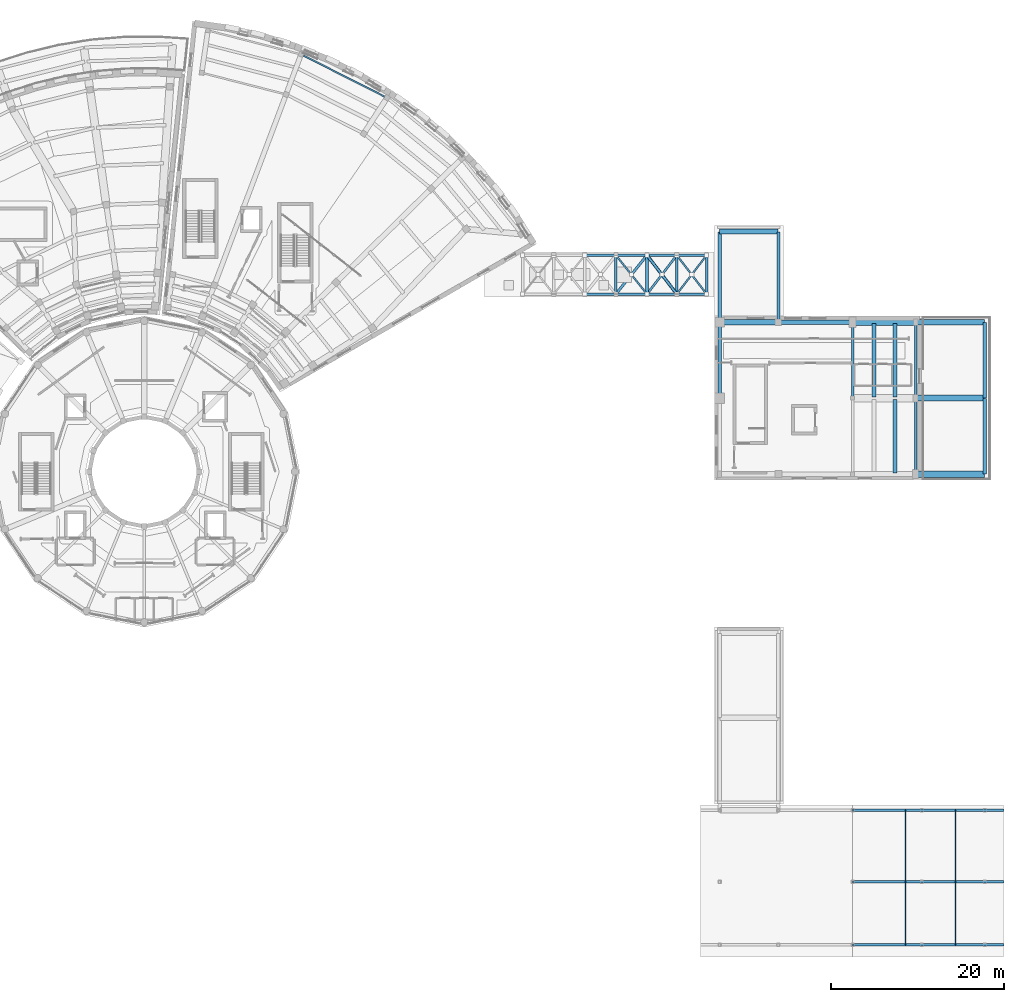
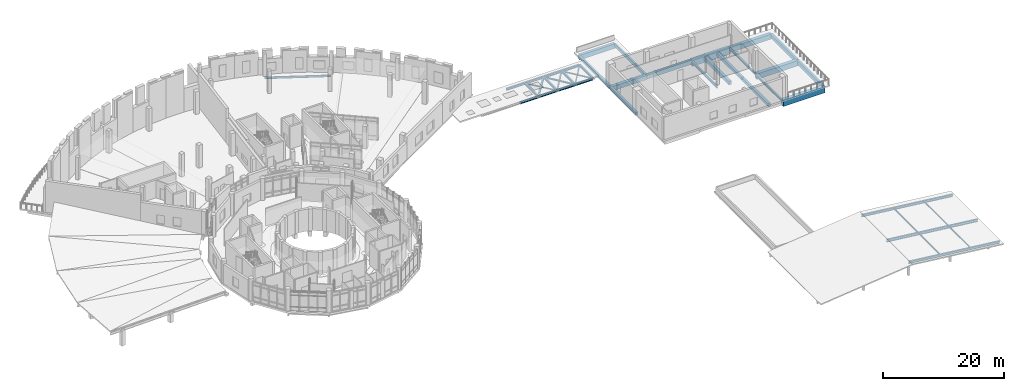
# One storey, part 21 of 49: 30 beams, 13 members.
"""IFC4 building model written with IfcOpenShell, lengths in metres."""

from ifc_helpers import new_model, si_unit, direction, frame, origin, origin_2d, place, context, subcontext, project, spatial, rectangle, hollow_rectangle, hollow_circle, i_section, extrude, material, material_profile, profile_set, type_object, element, save


model = new_model("IFC4")

# Units and contexts
model_context = context("Model", 3, precision=1e-05, world=origin(), true_north=direction((0.0, 1.0)))
body_context = subcontext(model_context, "Body", "Model", "MODEL_VIEW")
ifc_project = project(units=[si_unit("LENGTHUNIT", "METRE"), si_unit("AREAUNIT", "SQUARE_METRE"), si_unit("VOLUMEUNIT", "CUBIC_METRE"), si_unit("PLANEANGLEUNIT", "RADIAN"), si_unit("MASSUNIT", "GRAM", prefix="KILO")], contexts=[model_context])

# Site, building, storey
site_placement = place(None, origin())
site = spatial("IfcSite", under=ifc_project, at=site_placement, CompositionType="ELEMENT")
building_placement = place(site_placement, origin())
building = spatial("IfcBuilding", under=site, at=building_placement, Name="Soyqirgoq Riverine Aquarium", CompositionType="ELEMENT")
storey_placement = place(building_placement, frame((0.0, 0.0, 15.0)))
storey = spatial("IfcBuildingStorey", under=building, at=storey_placement, Name="L04", CompositionType="ELEMENT", Elevation=15.0)

# Beams
ifc_material_1 = material(Name="Concrete C40/50", Category="concrete")
ifc_material_profile_1 = material_profile(ifc_material_1, rectangle(XDim=0.39990234375, YDim=0.60009765625, at=origin_2d()), Name="RC 400x600")
ifc_profile_set_1 = profile_set([ifc_material_profile_1], Name="Concrete C40/50")
beam_type_1 = type_object("IfcBeamType", Name="Beam_RC_400x600", PredefinedType="JOIST", material=ifc_profile_set_1)
beam_1_placement = place(storey_placement, frame((122.60009765625, 74.35009765625, -0.60009765625), z_axis=(0.0, 1.0, 0.0), x_axis=(-1.0, 0.0, 0.0)))
element("IfcBeam", 1, at=beam_1_placement, inside=storey, type_object=beam_type_1, Name="V7 L04 North-South Frame Beam 1403", PredefinedType="JOIST", context=body_context, shape_type="SweptSolid", body=[
    extrude(rectangle(XDim=0.39990234375, YDim=0.60009765625, at=origin_2d()), origin(), (0.0, 0.0, 1.0), 10.39990234375),
])
ifc_material_2 = material(Name="Concrete C40/50", Category="concrete")
ifc_material_profile_2 = material_profile(ifc_material_2, rectangle(XDim=0.39990234375, YDim=0.64990234375, at=origin_2d()), Name="RC 400x650")
ifc_profile_set_2 = profile_set([ifc_material_profile_2], Name="Concrete C40/50")
beam_type_2 = type_object("IfcBeamType", Name="Beam_RC_400x650", PredefinedType="BEAM", material=ifc_profile_set_2)
beam_2_placement = place(storey_placement, frame((122.60009765625, 65.550048828125, -0.625), z_axis=(0.0, 1.0, 0.0), x_axis=(-1.0, 0.0, 0.0)))
element("IfcBeam", 2, at=beam_2_placement, inside=storey, type_object=beam_type_2, Name="V7 L04 North-South Frame Beam 1402", PredefinedType="BEAM", context=body_context, shape_type="SweptSolid", body=[
    extrude(rectangle(XDim=0.39990234375, YDim=0.64990234375, at=origin_2d()), origin(), (0.0, 0.0, 1.0), 8.699951171875),
])
ifc_material_3 = material(Name="Concrete C40/50", Category="concrete")
ifc_material_profile_3 = material_profile(ifc_material_3, rectangle(XDim=0.449951171875, YDim=0.64990234375, at=origin_2d()), Name="RC 450x650")
ifc_profile_set_3 = profile_set([ifc_material_profile_3], Name="Concrete C40/50")
beam_type_3 = type_object("IfcBeamType", Name="Beam_RC_450x650", PredefinedType="BEAM", material=ifc_profile_set_3)
for number, where, z_axis, x_axis, name in (
    (3, (142.89111328125, 56.840087890625, -0.625), (0.0, 1.0, 0.0), (-1.0, 0.0, 0.0), "V7 L04 Secondary Bay Joist 1422"),
    (4, (142.89111328125, 65.639892578125, -0.625), (0.0, 1.0, 0.0), (-1.0, 0.0, 0.0), "V7 L04 Secondary Bay Joist 1424"),
):
    element("IfcBeam", number, at=place(storey_placement, frame(where, z_axis=z_axis, x_axis=x_axis)), inside=storey, type_object=beam_type_3, Name=name, PredefinedType="BEAM", context=body_context, shape_type="SweptSolid", body=[
        extrude(rectangle(XDim=0.449951171875, YDim=0.64990234375, at=origin_2d()), origin(), (0.0, 0.0, 1.0), 8.52001953125),
    ])
ifc_material_4 = material(Name="Concrete C40/50", Category="concrete")
ifc_material_profile_4 = material_profile(ifc_material_4, rectangle(XDim=0.449951171875, YDim=0.75, at=origin_2d()), Name="RC 450x750")
ifc_profile_set_4 = profile_set([ifc_material_profile_4], Name="Concrete C40/50")
beam_type_4 = type_object("IfcBeamType", Name="Beam_RC_450x750", PredefinedType="BEAM", material=ifc_profile_set_4)
beam_3_placement = place(storey_placement, frame((153.300048828125, 65.550048828125, -0.675048828125), z_axis=(0.0, 1.0, 0.0), x_axis=(-1.0, 0.0, 0.0)))
element("IfcBeam", 5, at=beam_3_placement, inside=storey, type_object=beam_type_4, Name="V7 L04 North-South Frame Beam 1420", PredefinedType="BEAM", context=body_context, shape_type="SweptSolid", body=[
    extrude(rectangle(XDim=0.449951171875, YDim=0.75, at=origin_2d()), origin(), (0.0, 0.0, 1.0), 8.699951171875),
])
ifc_material_5 = material(Name="Concrete C40/50", Category="concrete")
ifc_material_profile_5 = material_profile(ifc_material_5, rectangle(XDim=0.449951171875, YDim=0.800048828125, at=origin_2d()), Name="RC 450x800")
ifc_profile_set_5 = profile_set([ifc_material_profile_5], Name="Concrete C40/50")
beam_type_5 = type_object("IfcBeamType", Name="Beam_RC_450x800", PredefinedType="BEAM", material=ifc_profile_set_5)
beam_4_placement = place(storey_placement, frame((153.300048828125, 56.75, -0.699951171875), z_axis=(0.0, 1.0, 0.0), x_axis=(-1.0, 0.0, 0.0)))
element("IfcBeam", 6, at=beam_4_placement, inside=storey, type_object=beam_type_5, Name="V7 L04 North-South Frame Beam 1419", PredefinedType="BEAM", context=body_context, shape_type="SweptSolid", body=[
    extrude(rectangle(XDim=0.449951171875, YDim=0.800048828125, at=origin_2d()), origin(), (0.0, 0.0, 1.0), 8.699951171875),
])
ifc_material_6 = material(Name="Concrete C40/50", Category="concrete")
ifc_material_profile_6 = material_profile(ifc_material_6, rectangle(XDim=0.5, YDim=0.75, at=origin_2d()), Name="RC 500x750")
ifc_profile_set_6 = profile_set([ifc_material_profile_6], Name="Concrete C40/50")
beam_type_6 = type_object("IfcBeamType", Name="Beam_RC_500x750", PredefinedType="BEAM", material=ifc_profile_set_6)
beam_5_placement = place(storey_placement, frame((140.48193359375, 65.639892578125, -0.675048828125), z_axis=(0.0, 1.0, 0.0), x_axis=(-1.0, 0.0, 0.0)))
element("IfcBeam", 7, at=beam_5_placement, inside=storey, type_object=beam_type_6, Name="V7 L04 Secondary Bay Joist 1423", PredefinedType="BEAM", context=body_context, shape_type="SweptSolid", body=[
    extrude(rectangle(XDim=0.5, YDim=0.75, at=origin_2d()), origin(), (0.0, 0.0, 1.0), 8.52001953125),
])

# Member
ifc_material_7 = material(Name="Structural steel S355", Category="steel")
ifc_material_profile_7 = material_profile(ifc_material_7, i_section(OverallWidth=0.300048828125, OverallDepth=0.489990234375, WebThickness=0.011962890625, FlangeThickness=0.02294921875, FilletRadius=0.027099609375, at=origin_2d()), Name="HEA 500")
ifc_profile_set_7 = profile_set([ifc_material_profile_7], Name="Structural steel S355")
member_type_1 = type_object("IfcMemberType", Name="BridgeChord_HEA500", PredefinedType="CHORD", material=ifc_profile_set_7)
member_1_placement = place(storey_placement, frame((110.60009765625, 77.550048828125, -0.22998046875), z_axis=(0.624679547852, 0.780881208953, 0.0), x_axis=(-0.780881208953, 0.624679547852, 0.0)))
element("IfcMember", 8, at=member_1_placement, inside=storey, type_object=member_type_1, Name="BR-2 Roof Diaphragm Continuous X-Brace 0028", PredefinedType="CHORD", context=body_context, shape_type="SweptSolid", body=[
    extrude(i_section(OverallWidth=0.300048828125, OverallDepth=0.489990234375, WebThickness=0.011962890625, FlangeThickness=0.02294921875, FilletRadius=0.027099609375, at=origin_2d()), origin(), (0.0, 0.0, 1.0), 5.7626953125),
])

# Beams
ifc_material_8 = material(Name="Concrete C40/50", Category="concrete")
ifc_material_profile_8 = material_profile(ifc_material_8, rectangle(XDim=0.5, YDim=0.85009765625, at=origin_2d()), Name="RC 500x850")
ifc_profile_set_8 = profile_set([ifc_material_profile_8], Name="Concrete C40/50")
beam_type_7 = type_object("IfcBeamType", Name="Girder_RC_500x850", PredefinedType="BEAM", material=ifc_profile_set_8)
beam_6_placement = place(storey_placement, frame((129.419921875, 74.300048828125, -0.72509765625), z_axis=(1.0, 0.0, 0.0), x_axis=(0.0, 1.0, 0.0)))
element("IfcBeam", 9, at=beam_6_placement, inside=storey, type_object=beam_type_7, Name="V7 L04 East-West Frame Girder 1408", PredefinedType="BEAM", context=body_context, shape_type="SweptSolid", body=[
    extrude(rectangle(XDim=0.5, YDim=0.85009765625, at=origin_2d()), origin(), (0.0, 0.0, 1.0), 8.56005859375),
])
ifc_material_9 = material(Name="Concrete C40/50", Category="concrete")
ifc_material_profile_9 = material_profile(ifc_material_9, rectangle(XDim=0.550048828125, YDim=0.949951171875, at=origin_2d()), Name="RC 550x950")
ifc_profile_set_9 = profile_set([ifc_material_profile_9], Name="Concrete C40/50")
beam_type_8 = type_object("IfcBeamType", Name="Girder_RC_550x950", PredefinedType="BEAM", material=ifc_profile_set_9)
beam_7_placement = place(storey_placement, frame((122.6201171875, 84.800048828125, -0.77490234375), z_axis=(1.0, 0.0, 0.0), x_axis=(0.0, 1.0, 0.0)))
element("IfcBeam", 10, at=beam_7_placement, inside=storey, type_object=beam_type_8, Name="V7 L04 East-West Frame Girder 1405", PredefinedType="BEAM", context=body_context, shape_type="SweptSolid", body=[
    extrude(rectangle(XDim=0.550048828125, YDim=0.949951171875, at=origin_2d()), origin(), (0.0, 0.0, 1.0), 6.759765625),
])
ifc_material_10 = material(Name="Concrete C40/50", Category="concrete")
ifc_material_profile_10 = material_profile(ifc_material_10, rectangle(XDim=0.60009765625, YDim=0.89990234375, at=origin_2d()), Name="RC 600x900")
ifc_profile_set_10 = profile_set([ifc_material_profile_10], Name="Concrete C40/50")
beam_type_9 = type_object("IfcBeamType", Name="Girder_RC_600x900", PredefinedType="BEAM", material=ifc_profile_set_10)
beam_8_placement = place(storey_placement, frame((122.6201171875, 74.300048828125, -0.75), z_axis=(1.0, 0.0, 0.0), x_axis=(0.0, 1.0, 0.0)))
element("IfcBeam", 11, at=beam_8_placement, inside=storey, type_object=beam_type_9, Name="V7 L04 East-West Frame Girder 1404", PredefinedType="BEAM", context=body_context, shape_type="SweptSolid", body=[
    extrude(rectangle(XDim=0.60009765625, YDim=0.89990234375, at=origin_2d()), origin(), (0.0, 0.0, 1.0), 6.759765625),
])
ifc_material_11 = material(Name="Concrete C40/50", Category="concrete")
ifc_material_profile_11 = material_profile(ifc_material_11, rectangle(XDim=0.64990234375, YDim=1.0, at=origin_2d()), Name="RC 650x1000")
ifc_profile_set_11 = profile_set([ifc_material_profile_11], Name="Concrete C40/50")
beam_type_10 = type_object("IfcBeamType", Name="Girder_RC_650x1000", PredefinedType="BEAM", material=ifc_profile_set_11)
beam_9_placement = place(storey_placement, frame((145.320068359375, 74.300048828125, -0.800048828125), z_axis=(1.0, 0.0, 0.0), x_axis=(0.0, 1.0, 0.0)))
element("IfcBeam", 12, at=beam_9_placement, inside=storey, type_object=beam_type_10, Name="V7 L04 East-West Frame Girder 1418", PredefinedType="BEAM", context=body_context, shape_type="SweptSolid", body=[
    extrude(rectangle(XDim=0.64990234375, YDim=1.0, at=origin_2d()), origin(), (0.0, 0.0, 1.0), 7.9599609375),
])
ifc_material_12 = material(Name="Concrete C40/50", Category="concrete")
ifc_material_profile_12 = material_profile(ifc_material_12, rectangle(XDim=0.699951171875, YDim=1.10009765625, at=origin_2d()), Name="RC 700x1100")
ifc_profile_set_12 = profile_set([ifc_material_profile_12], Name="Concrete C40/50")
beam_type_11 = type_object("IfcBeamType", Name="Girder_RC_700x1100", PredefinedType="BEAM", material=ifc_profile_set_12)
beam_10_placement = place(storey_placement, frame((145.320068359375, 65.5, -0.85009765625), z_axis=(1.0, 0.0, 0.0), x_axis=(0.0, 1.0, 0.0)))
element("IfcBeam", 13, at=beam_10_placement, inside=storey, type_object=beam_type_11, Name="V7 L04 East-West Frame Girder 1417", PredefinedType="BEAM", context=body_context, shape_type="SweptSolid", body=[
    extrude(rectangle(XDim=0.699951171875, YDim=1.10009765625, at=origin_2d()), origin(), (0.0, 0.0, 1.0), 7.9599609375),
])
ifc_material_13 = material(Name="Concrete C40/50", Category="concrete")
ifc_material_profile_13 = material_profile(ifc_material_13, rectangle(XDim=0.75, YDim=1.199951171875, at=origin_2d()), Name="RC 750x1200")
ifc_profile_set_13 = profile_set([ifc_material_profile_13], Name="Concrete C40/50")
beam_type_12 = type_object("IfcBeamType", Name="Girder_RC_750x1200", PredefinedType="BEAM", material=ifc_profile_set_13)
beam_11_placement = place(storey_placement, frame((145.320068359375, 56.699951171875, -0.89990234375), z_axis=(1.0, 0.0, 0.0), x_axis=(0.0, 1.0, 0.0)))
element("IfcBeam", 14, at=beam_11_placement, inside=storey, type_object=beam_type_12, Name="V7 L04 East-West Frame Girder 1415", PredefinedType="BEAM", context=body_context, shape_type="SweptSolid", body=[
    extrude(rectangle(XDim=0.75, YDim=1.199951171875, at=origin_2d()), origin(), (0.0, 0.0, 1.0), 7.9599609375),
])
ifc_material_14 = material(Name="Concrete C40/50", Category="concrete")
ifc_material_profile_14 = material_profile(ifc_material_14, rectangle(XDim=0.800048828125, YDim=1.199951171875, at=origin_2d()), Name="RC 800x1200")
ifc_profile_set_14 = profile_set([ifc_material_profile_14], Name="Concrete C40/50")
beam_type_13 = type_object("IfcBeamType", Name="Girder_RC_800x1200", PredefinedType="BEAM", material=ifc_profile_set_14)
beam_12_placement = place(storey_placement, frame((138.02001953125, 74.300048828125, -0.89990234375), z_axis=(1.0, 0.0, 0.0), x_axis=(0.0, 1.0, 0.0)))
element("IfcBeam", 15, at=beam_12_placement, inside=storey, type_object=beam_type_13, Name="V7 L04 East-West Frame Girder 1413", PredefinedType="BEAM", context=body_context, shape_type="SweptSolid", body=[
    extrude(rectangle(XDim=0.800048828125, YDim=1.199951171875, at=origin_2d()), origin(), (0.0, 0.0, 1.0), 7.260009765625),
])

# Members
ifc_material_15 = material(Name="Structural steel S355", Category="steel")
ifc_material_profile_15 = material_profile(ifc_material_15, i_section(OverallWidth=0.1201171875, OverallDepth=0.239990234375, WebThickness=0.006103515625, FlangeThickness=0.009765625, FilletRadius=0.014892578125, at=origin_2d()), Name="IPE 240")
ifc_profile_set_15 = profile_set([ifc_material_profile_15], Name="Structural steel S355")
member_type_2 = type_object("IfcMemberType", Name="Purlin_IPE240", PredefinedType="PURLIN", material=ifc_profile_set_15)
member_2_placement = place(storey_placement, frame((149.89990234375, 9.5, 1.112060546875), z_axis=(0.0, 1.0, 0.0), x_axis=(-1.0, 0.0, 0.0)))
element("IfcMember", 16, at=member_2_placement, inside=storey, type_object=member_type_2, Name="V6 Sloped Roof Purlin 0213", PredefinedType="PURLIN", context=body_context, shape_type="SweptSolid", body=[
    extrude(i_section(OverallWidth=0.1201171875, OverallDepth=0.239990234375, WebThickness=0.006103515625, FlangeThickness=0.009765625, FilletRadius=0.014892578125, at=origin_2d()), origin(), (0.0, 0.0, 1.0), 8.300048828125),
])
ifc_material_16 = material(Name="Structural steel S355", Category="steel")
ifc_material_profile_16 = material_profile(ifc_material_16, i_section(OverallWidth=0.135009765625, OverallDepth=0.27001953125, WebThickness=0.006591796875, FlangeThickness=0.01025390625, FilletRadius=0.014892578125, at=origin_2d()), Name="IPE 270")
ifc_profile_set_16 = profile_set([ifc_material_profile_16], Name="Structural steel S355")
member_type_3 = type_object("IfcMemberType", Name="Purlin_IPE270", PredefinedType="PURLIN", material=ifc_profile_set_16)
member_3_placement = place(storey_placement, frame((149.89990234375, 2.199951171875, 1.09619140625), z_axis=(0.0, 1.0, 0.0), x_axis=(-1.0, 0.0, 0.0)))
element("IfcMember", 17, at=member_3_placement, inside=storey, type_object=member_type_3, Name="V6 Sloped Roof Purlin 0212", PredefinedType="PURLIN", context=body_context, shape_type="SweptSolid", body=[
    extrude(i_section(OverallWidth=0.135009765625, OverallDepth=0.27001953125, WebThickness=0.006591796875, FlangeThickness=0.01025390625, FilletRadius=0.014892578125, at=origin_2d()), origin(), (0.0, 0.0, 1.0), 7.300048828125),
])
ifc_material_17 = material(Name="Structural steel S355", Category="steel")
ifc_material_profile_17 = material_profile(ifc_material_17, i_section(OverallWidth=0.14990234375, OverallDepth=0.300048828125, WebThickness=0.007080078125, FlangeThickness=0.0107421875, FilletRadius=0.014892578125, at=origin_2d()), Name="IPE 300")
ifc_profile_set_17 = profile_set([ifc_material_profile_17], Name="Structural steel S355")
member_type_4 = type_object("IfcMemberType", Name="Purlin_IPE300", PredefinedType="PURLIN", material=ifc_profile_set_17)
member_4_placement = place(storey_placement, frame((144.125, 9.5, 1.723876953125), z_axis=(0.0, 1.0, 0.0), x_axis=(-1.0, 0.0, 0.0)))
element("IfcMember", 18, at=member_4_placement, inside=storey, type_object=member_type_4, Name="V6 Sloped Roof Purlin 0211", PredefinedType="PURLIN", context=body_context, shape_type="SweptSolid", body=[
    extrude(i_section(OverallWidth=0.14990234375, OverallDepth=0.300048828125, WebThickness=0.007080078125, FlangeThickness=0.0107421875, FilletRadius=0.014892578125, at=origin_2d()), origin(), (0.0, 0.0, 1.0), 8.300048828125),
])
ifc_material_18 = material(Name="Structural steel S355", Category="steel")
ifc_material_profile_18 = material_profile(ifc_material_18, i_section(OverallWidth=0.159912109375, OverallDepth=0.330078125, WebThickness=0.007568359375, FlangeThickness=0.011474609375, FilletRadius=0.01806640625, at=origin_2d()), Name="IPE 330")
ifc_profile_set_18 = profile_set([ifc_material_profile_18], Name="Structural steel S355")
member_type_5 = type_object("IfcMemberType", Name="Purlin_IPE330", PredefinedType="PURLIN", material=ifc_profile_set_18)
member_5_placement = place(storey_placement, frame((144.125, 2.199951171875, 1.708251953125), z_axis=(0.0, 1.0, 0.0), x_axis=(-1.0, 0.0, 0.0)))
element("IfcMember", 19, at=member_5_placement, inside=storey, type_object=member_type_5, Name="V6 Sloped Roof Purlin 0210", PredefinedType="PURLIN", context=body_context, shape_type="SweptSolid", body=[
    extrude(i_section(OverallWidth=0.159912109375, OverallDepth=0.330078125, WebThickness=0.007568359375, FlangeThickness=0.011474609375, FilletRadius=0.01806640625, at=origin_2d()), origin(), (0.0, 0.0, 1.0), 7.300048828125),
])

# Beams
ifc_material_19 = material(Name="Structural steel S355", Category="steel")
ifc_material_profile_19 = material_profile(ifc_material_19, i_section(OverallWidth=0.179931640625, OverallDepth=0.39990234375, WebThickness=0.008544921875, FlangeThickness=0.013427734375, FilletRadius=0.02099609375, at=origin_2d()), Name="IPE 400")
ifc_profile_set_19 = profile_set([ifc_material_profile_19], Name="Structural steel S355")
beam_type_14 = type_object("IfcBeamType", Name="Spandrel_Steel_IPE400", PredefinedType="SPANDREL", material=ifc_profile_set_19)
beam_13_placement = place(storey_placement, frame((84.058837890625, 100.2978515625, -0.47998046875), z_axis=(-0.892576221627, 0.450896538672, 0.0), x_axis=(-0.450896538672, -0.892576221627, 0.0)))
element("IfcBeam", 20, at=beam_13_placement, inside=storey, type_object=beam_type_14, Name="V5 L04 Wedge Chord Beam 0952", PredefinedType="SPANDREL", context=body_context, shape_type="SweptSolid", body=[
    extrude(i_section(OverallWidth=0.179931640625, OverallDepth=0.39990234375, WebThickness=0.008544921875, FlangeThickness=0.013427734375, FilletRadius=0.02099609375, at=origin_2d()), origin(), (0.0, 0.0, 1.0), 11.045654296875),
])
ifc_material_20 = material(Name="Structural steel S355", Category="steel")
ifc_material_profile_20 = material_profile(ifc_material_20, i_section(OverallWidth=0.300048828125, OverallDepth=0.389892578125, WebThickness=0.010986328125, FlangeThickness=0.01904296875, FilletRadius=0.027099609375, at=origin_2d()), Name="HEA 400")
ifc_profile_set_20 = profile_set([ifc_material_profile_20], Name="Structural steel S355")
beam_type_15 = type_object("IfcBeamType", Name="SteelBeam_HEA400", PredefinedType="BEAM", material=ifc_profile_set_20)
beam_14_placement = place(storey_placement, frame((145.300048828125, 65.550048828125, -0.4951171875), z_axis=(0.0, 1.0, 0.0), x_axis=(-1.0, 0.0, 0.0)))
element("IfcBeam", 21, at=beam_14_placement, inside=storey, type_object=beam_type_15, Name="V7 L04 North-South Frame Beam 1416", PredefinedType="BEAM", context=body_context, shape_type="SweptSolid", body=[
    extrude(i_section(OverallWidth=0.300048828125, OverallDepth=0.389892578125, WebThickness=0.010986328125, FlangeThickness=0.01904296875, FilletRadius=0.027099609375, at=origin_2d()), origin(), (0.0, 0.0, 1.0), 8.699951171875),
])
for number, where, z_axis, x_axis, name in (
    (22, (110.60009765625, 77.60009765625, -0.195068359375), (0.0, 1.0, 0.0), (-1.0, 0.0, 0.0), "BR-2 L04 Bridge Mid-Bay Roof Tie 1463"),
    (23, (117.64990234375, 77.60009765625, -0.195068359375), (0.0, 1.0, 0.0), (-1.0, 0.0, 0.0), "BR-2 L04 Bridge Mid-Bay Roof Tie 1464"),
    (24, (114.199951171875, 77.60009765625, -0.195068359375), (0.0, 1.0, 0.0), (-1.0, 0.0, 0.0), "BR-2 L04 Bridge Roof Cross Beam 1470"),
    (25, (121.10009765625, 77.60009765625, -0.195068359375), (0.0, 1.0, 0.0), (-1.0, 0.0, 0.0), "BR-2 L04 Bridge Roof Cross Beam 1472"),
):
    element("IfcBeam", number, at=place(storey_placement, frame(where, z_axis=z_axis, x_axis=x_axis)), inside=storey, type_object=beam_type_15, Name=name, PredefinedType="BEAM", context=body_context, shape_type="SweptSolid", body=[
        extrude(i_section(OverallWidth=0.300048828125, OverallDepth=0.389892578125, WebThickness=0.010986328125, FlangeThickness=0.01904296875, FilletRadius=0.027099609375, at=origin_2d()), origin(), (0.0, 0.0, 1.0), 4.39990234375),
    ])
ifc_material_21 = material(Name="Structural steel S355", Category="steel")
ifc_material_profile_21 = material_profile(ifc_material_21, i_section(OverallWidth=0.300048828125, OverallDepth=0.43994140625, WebThickness=0.011474609375, FlangeThickness=0.02099609375, FilletRadius=0.027099609375, at=origin_2d()), Name="HEA 450")
ifc_profile_set_21 = profile_set([ifc_material_profile_21], Name="Structural steel S355")
beam_type_16 = type_object("IfcBeamType", Name="SteelBeam_HEA450", PredefinedType="BEAM", material=ifc_profile_set_21)
beam_15_placement = place(storey_placement, frame((145.300048828125, 56.75, -0.52001953125), z_axis=(0.0, 1.0, 0.0), x_axis=(-1.0, 0.0, 0.0)))
element("IfcBeam", 26, at=beam_15_placement, inside=storey, type_object=beam_type_16, Name="V7 L04 North-South Frame Beam 1414", PredefinedType="BEAM", context=body_context, shape_type="SweptSolid", body=[
    extrude(i_section(OverallWidth=0.300048828125, OverallDepth=0.43994140625, WebThickness=0.011474609375, FlangeThickness=0.02099609375, FilletRadius=0.027099609375, at=origin_2d()), origin(), (0.0, 0.0, 1.0), 8.699951171875),
])
beam_16_placement = place(storey_placement, frame((107.050048828125, 77.550048828125, -0.219970703125), z_axis=(1.0, 0.0, 0.0), x_axis=(0.0, 1.0, 0.0)))
element("IfcBeam", 27, at=beam_16_placement, inside=storey, type_object=beam_type_16, Name="BR-2 L04 Bridge Roof Chord Beam 1453", PredefinedType="BEAM", context=body_context, shape_type="SweptSolid", body=[
    extrude(i_section(OverallWidth=0.300048828125, OverallDepth=0.43994140625, WebThickness=0.011474609375, FlangeThickness=0.02099609375, FilletRadius=0.027099609375, at=origin_2d()), origin(), (0.0, 0.0, 1.0), 7.099853515625),
])
beam_17_placement = place(storey_placement, frame((114.25, 77.550048828125, -0.219970703125), z_axis=(1.0, 0.0, 0.0), x_axis=(0.0, 1.0, 0.0)))
element("IfcBeam", 28, at=beam_17_placement, inside=storey, type_object=beam_type_16, Name="BR-2 L04 Bridge Roof Chord Beam 1455", PredefinedType="BEAM", context=body_context, shape_type="SweptSolid", body=[
    extrude(i_section(OverallWidth=0.300048828125, OverallDepth=0.43994140625, WebThickness=0.011474609375, FlangeThickness=0.02099609375, FilletRadius=0.027099609375, at=origin_2d()), origin(), (0.0, 0.0, 1.0), 6.800048828125),
])
beam_18_placement = place(storey_placement, frame((107.050048828125, 82.050048828125, -0.219970703125), z_axis=(1.0, 0.0, 0.0), x_axis=(0.0, 1.0, 0.0)))
element("IfcBeam", 29, at=beam_18_placement, inside=storey, type_object=beam_type_16, Name="BR-2 L04 Bridge Roof Chord Beam 1459", PredefinedType="BEAM", context=body_context, shape_type="SweptSolid", body=[
    extrude(i_section(OverallWidth=0.300048828125, OverallDepth=0.43994140625, WebThickness=0.011474609375, FlangeThickness=0.02099609375, FilletRadius=0.027099609375, at=origin_2d()), origin(), (0.0, 0.0, 1.0), 7.099853515625),
])
beam_19_placement = place(storey_placement, frame((114.25, 82.050048828125, -0.219970703125), z_axis=(1.0, 0.0, 0.0), x_axis=(0.0, 1.0, 0.0)))
element("IfcBeam", 30, at=beam_19_placement, inside=storey, type_object=beam_type_16, Name="BR-2 L04 Bridge Roof Chord Beam 1461", PredefinedType="BEAM", context=body_context, shape_type="SweptSolid", body=[
    extrude(i_section(OverallWidth=0.300048828125, OverallDepth=0.43994140625, WebThickness=0.011474609375, FlangeThickness=0.02099609375, FilletRadius=0.027099609375, at=origin_2d()), origin(), (0.0, 0.0, 1.0), 6.800048828125),
])
ifc_material_22 = material(Name="Structural steel S355", Category="steel")
ifc_material_profile_22 = material_profile(ifc_material_22, i_section(OverallWidth=0.300048828125, OverallDepth=0.489990234375, WebThickness=0.011962890625, FlangeThickness=0.02294921875, FilletRadius=0.027099609375, at=origin_2d()), Name="HEA 500")
ifc_profile_set_22 = profile_set([ifc_material_profile_22], Name="Structural steel S355")
beam_type_17 = type_object("IfcBeamType", Name="SteelBeam_HEA500", PredefinedType="BEAM", material=ifc_profile_set_22)
for number, where, z_axis, x_axis, name in (
    (31, (138.0, 2.199951171875, 2.319580078125), (0.993849362122, 0.0, -0.110740441619), (0.0, 1.0, 0.0), "V6 Sloped Prairie Rafter E01"),
    (32, (138.0, 17.800048828125, 2.319580078125), (0.993849362122, 0.0, -0.110740441619), (0.0, 1.0, 0.0), "V6 Sloped Prairie Rafter E03"),
):
    element("IfcBeam", number, at=place(storey_placement, frame(where, z_axis=z_axis, x_axis=x_axis)), inside=storey, type_object=beam_type_17, Name=name, PredefinedType="BEAM", context=body_context, shape_type="SweptSolid", body=[
        extrude(i_section(OverallWidth=0.300048828125, OverallDepth=0.489990234375, WebThickness=0.011962890625, FlangeThickness=0.02294921875, FilletRadius=0.027099609375, at=origin_2d()), origin(), (0.0, 0.0, 1.0), 17.6083984375),
    ])
ifc_material_23 = material(Name="Structural steel S355", Category="steel")
ifc_material_profile_23 = material_profile(ifc_material_23, i_section(OverallWidth=0.300048828125, OverallDepth=0.5400390625, WebThickness=0.012451171875, FlangeThickness=0.02392578125, FilletRadius=0.027099609375, at=origin_2d()), Name="HEA 550")
ifc_profile_set_23 = profile_set([ifc_material_profile_23], Name="Structural steel S355")
beam_type_18 = type_object("IfcBeamType", Name="SteelBeam_HEA550", PredefinedType="BEAM", material=ifc_profile_set_23)
beam_20_placement = place(storey_placement, frame((138.0, 65.550048828125, -0.570068359375), z_axis=(0.0, 1.0, 0.0), x_axis=(-1.0, 0.0, 0.0)))
element("IfcBeam", 33, at=beam_20_placement, inside=storey, type_object=beam_type_18, Name="V7 L04 North-South Frame Beam 1411", PredefinedType="BEAM", context=body_context, shape_type="SweptSolid", body=[
    extrude(i_section(OverallWidth=0.300048828125, OverallDepth=0.5400390625, WebThickness=0.012451171875, FlangeThickness=0.02392578125, FilletRadius=0.027099609375, at=origin_2d()), origin(), (0.0, 0.0, 1.0), 8.699951171875),
])
beam_21_placement = place(storey_placement, frame((138.0, 9.5, 2.294677734375), z_axis=(0.993847836048, 0.0, -0.11075413664), x_axis=(0.0, 1.0, 0.0)))
element("IfcBeam", 34, at=beam_21_placement, inside=storey, type_object=beam_type_18, Name="V6 Sloped Prairie Rafter E02", PredefinedType="BEAM", context=body_context, shape_type="SweptSolid", body=[
    extrude(i_section(OverallWidth=0.300048828125, OverallDepth=0.5400390625, WebThickness=0.012451171875, FlangeThickness=0.02392578125, FilletRadius=0.027099609375, at=origin_2d()), origin(), (0.0, 0.0, 1.0), 17.6083984375),
])

# Members
ifc_material_24 = material(Name="Structural steel S355", Category="steel")
ifc_material_profile_24 = material_profile(ifc_material_24, hollow_circle(Radius=0.177734375, WallThickness=0.01611328125, at=origin_2d()), Name="CHS 355.6x16")
ifc_profile_set_24 = profile_set([ifc_material_profile_24], Name="Structural steel S355")
member_type_6 = type_object("IfcMemberType", Name="Strut_CHS355", PredefinedType="STRUT", material=ifc_profile_set_24)
member_6_placement = place(storey_placement, frame((114.199951171875, 82.050048828125, -0.22998046875), z_axis=(0.608453236641, -0.793589729534, 0.0), x_axis=(0.793589729534, 0.608453236641, 0.0)))
element("IfcMember", 35, at=member_6_placement, inside=storey, type_object=member_type_6, Name="BR-2 Roof Diaphragm Split X-Brace 0032", PredefinedType="STRUT", context=body_context, shape_type="SweptSolid", body=[
    extrude(hollow_circle(Radius=0.177734375, WallThickness=0.01611328125, at=origin_2d()), origin(), (0.0, 0.0, 1.0), 2.835205078125),
])
member_7_placement = place(storey_placement, frame((115.925048828125, 79.800048828125, -0.22998046875), z_axis=(0.608399001624, -0.793631309125, 0.0), x_axis=(0.793631309125, 0.608399001624, 0.0)))
element("IfcMember", 36, at=member_7_placement, inside=storey, type_object=member_type_6, Name="BR-2 Roof Diaphragm Split X-Brace 0033", PredefinedType="STRUT", context=body_context, shape_type="SweptSolid", body=[
    extrude(hollow_circle(Radius=0.177734375, WallThickness=0.01611328125, at=origin_2d()), origin(), (0.0, 0.0, 1.0), 2.8349609375),
])
ifc_material_25 = material(Name="Structural steel S355", Category="steel")
ifc_material_profile_25 = material_profile(ifc_material_25, hollow_rectangle(XDim=0.199951171875, YDim=0.199951171875, WallThickness=0.011962890625, at=origin_2d()), Name="SHS 200x200x12")
ifc_profile_set_25 = profile_set([ifc_material_profile_25], Name="Structural steel S355")
member_type_7 = type_object("IfcMemberType", Name="Strut_SHS200", PredefinedType="STRUT", material=ifc_profile_set_25)
for number, where, z_axis, x_axis, name in (
    (37, (110.60009765625, 82.050048828125, -0.22998046875), (0.624653713374, -0.780901874994, 0.0), (0.780901874994, 0.624653713374, 0.0), "BR-2 Roof Diaphragm Split X-Brace 0029"),
    (38, (112.39990234375, 79.800048828125, -0.22998046875), (0.624705380279, -0.780860543151, 0.0), (0.780860543151, 0.624705380279, 0.0), "BR-2 Roof Diaphragm Split X-Brace 0030"),
):
    element("IfcMember", number, at=place(storey_placement, frame(where, z_axis=z_axis, x_axis=x_axis)), inside=storey, type_object=member_type_7, Name=name, PredefinedType="STRUT", context=body_context, shape_type="SweptSolid", body=[
        extrude(hollow_rectangle(XDim=0.199951171875, YDim=0.199951171875, WallThickness=0.011962890625, at=origin_2d()), origin(), (0.0, 0.0, 1.0), 2.88134765625),
    ])
member_8_placement = place(storey_placement, frame((117.64990234375, 77.550048828125, -0.22998046875), z_axis=(0.608453236641, 0.793589729534, 0.0), x_axis=(-0.793589729534, 0.608453236641, 0.0)))
element("IfcMember", 39, at=member_8_placement, inside=storey, type_object=member_type_7, Name="BR-2 Roof Diaphragm Continuous X-Brace 0034", PredefinedType="STRUT", context=body_context, shape_type="SweptSolid", body=[
    extrude(hollow_rectangle(XDim=0.199951171875, YDim=0.199951171875, WallThickness=0.011962890625, at=origin_2d()), origin(), (0.0, 0.0, 1.0), 5.67041015625),
])
for number, where, z_axis, x_axis, name in (
    (40, (117.64990234375, 82.050048828125, -0.22998046875), (0.608453236641, -0.793589729534, 0.0), (0.793589729534, 0.608453236641, 0.0), "BR-2 Roof Diaphragm Split X-Brace 0035"),
    (41, (119.375, 79.800048828125, -0.22998046875), (0.608453236641, -0.793589729534, 0.0), (0.793589729534, 0.608453236641, 0.0), "BR-2 Roof Diaphragm Split X-Brace 0036"),
):
    element("IfcMember", number, at=place(storey_placement, frame(where, z_axis=z_axis, x_axis=x_axis)), inside=storey, type_object=member_type_7, Name=name, PredefinedType="STRUT", context=body_context, shape_type="SweptSolid", body=[
        extrude(hollow_rectangle(XDim=0.199951171875, YDim=0.199951171875, WallThickness=0.011962890625, at=origin_2d()), origin(), (0.0, 0.0, 1.0), 2.835205078125),
    ])
ifc_material_26 = material(Name="Structural steel S355", Category="steel")
ifc_material_profile_26 = material_profile(ifc_material_26, hollow_rectangle(XDim=0.25, YDim=0.25, WallThickness=0.012451171875, at=origin_2d()), Name="SHS 250x250x12.5")
ifc_profile_set_26 = profile_set([ifc_material_profile_26], Name="Structural steel S355")
member_type_8 = type_object("IfcMemberType", Name="Strut_SHS250", PredefinedType="POST", material=ifc_profile_set_26)
member_9_placement = place(storey_placement, frame((114.199951171875, 77.550048828125, -0.22998046875), z_axis=(0.608426120198, 0.793610519248, 0.0), x_axis=(-0.793610519248, 0.608426120198, 0.0)))
element("IfcMember", 42, at=member_9_placement, inside=storey, type_object=member_type_8, Name="BR-2 Roof Diaphragm Continuous X-Brace 0031", PredefinedType="POST", context=body_context, shape_type="SweptSolid", body=[
    extrude(hollow_rectangle(XDim=0.25, YDim=0.25, WallThickness=0.012451171875, at=origin_2d()), origin(), (0.0, 0.0, 1.0), 5.670166015625),
])

# Beam
ifc_material_27 = material(Name="Concrete C40/50", Category="concrete")
ifc_material_profile_27 = material_profile(ifc_material_27, rectangle(XDim=0.35009765625, YDim=0.550048828125, at=origin_2d()), Name="RC 350x550")
ifc_profile_set_27 = profile_set([ifc_material_profile_27], Name="Concrete C40/50")
beam_type_19 = type_object("IfcBeamType", Name="TBeam_RC_350x550", PredefinedType="T_BEAM", material=ifc_profile_set_27)
beam_22_placement = place(storey_placement, frame((129.39990234375, 74.35009765625, -0.574951171875), z_axis=(0.0, 1.0, 0.0), x_axis=(-1.0, 0.0, 0.0)))
element("IfcBeam", 43, at=beam_22_placement, inside=storey, type_object=beam_type_19, Name="V7 L04 North-South Frame Beam 1407", PredefinedType="T_BEAM", context=body_context, shape_type="SweptSolid", body=[
    extrude(rectangle(XDim=0.35009765625, YDim=0.550048828125, at=origin_2d()), origin(), (0.0, 0.0, 1.0), 10.39990234375),
])

save(model, "model.ifc")
